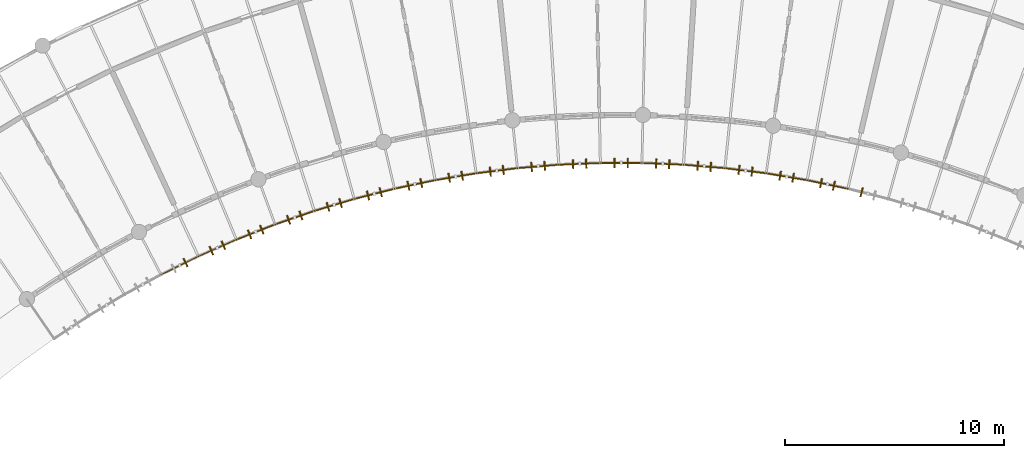
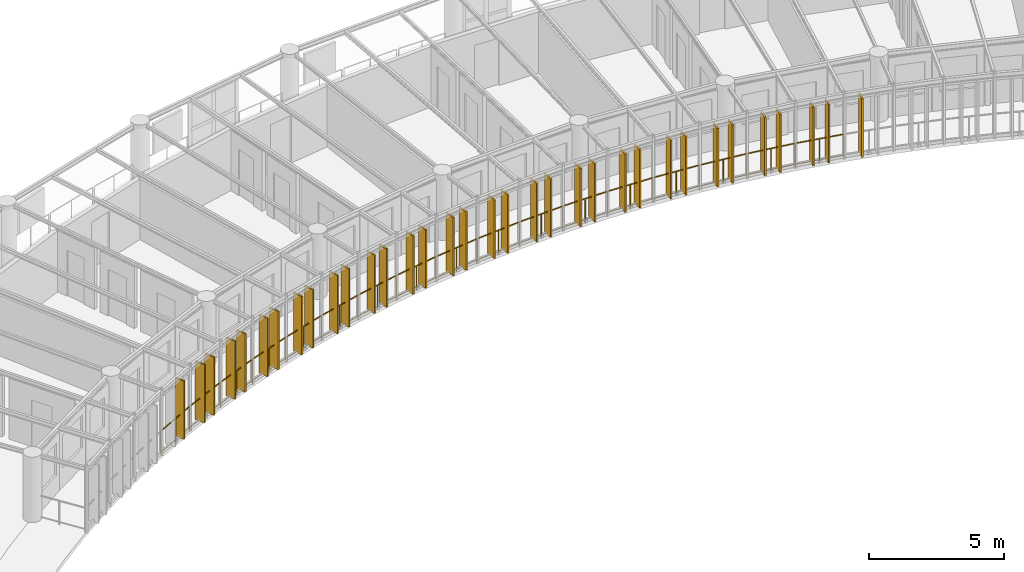
# One storey, part 96 of 100: 34 shading devices, 17 railings.
"""IFC4 building model written with IfcOpenShell, lengths in metres."""

from ifc_helpers import new_model, si_unit, direction, frame, origin, origin_2d, place, context, subcontext, project, spatial, rectangle, circle, extrude, material, layer, layer_set, type_object, element, save


model = new_model("IFC4")

# Units and contexts
model_context = context("Model", 3, precision=1e-05, world=origin(), true_north=direction((0.0, 1.0)))
body_context = subcontext(model_context, "Body", "Model", "MODEL_VIEW")
ifc_project = project(units=[si_unit("LENGTHUNIT", "METRE"), si_unit("AREAUNIT", "SQUARE_METRE"), si_unit("VOLUMEUNIT", "CUBIC_METRE"), si_unit("PLANEANGLEUNIT", "RADIAN"), si_unit("MASSUNIT", "GRAM", prefix="KILO"), si_unit("POWERUNIT", "WATT"), si_unit("THERMODYNAMICTEMPERATUREUNIT", "KELVIN")], contexts=[model_context])

# Site, building, storey
site_placement = place(None, origin())
site = spatial("IfcSite", under=ifc_project, at=site_placement, CompositionType="ELEMENT")
building_placement = place(site_placement, origin())
building = spatial("IfcBuilding", under=site, at=building_placement, Name="Ruvembo Vaulted Housing Court", CompositionType="ELEMENT")
storey_placement = place(building_placement, frame((0.0, 0.0, 10.89990234375)))
storey = spatial("IfcBuildingStorey", under=building, at=storey_placement, Name="L03", CompositionType="ELEMENT", Elevation=10.89990234375)

# Railings
ifc_material_1 = material(Name="Galvanised Painted Steel S275", Category="steel")
ifc_layer = layer(ifc_material_1, 0.06005859375, Name="Galvanised Painted Steel S275")
ifc_layer_set = layer_set([ifc_layer], Name="Galvanised Painted Steel S275")
railing_type = type_object("IfcRailingType", Name="RL-GUARD-1100", PredefinedType="GUARDRAIL", material=ifc_layer_set)
railing_1_placement = place(storey_placement, frame((95.95751953125, 90.6796875, 0.0)))
element("IfcRailing", 1, at=railing_1_placement, inside=storey, type_object=railing_type, Name="L03 Perimeter Guard RL-EXT-L03-0666", PredefinedType="GUARDRAIL", context=body_context, shape_type="SweptSolid", body=[
    extrude(circle(Radius=0.02392578125, at=origin_2d()), frame((0.0, 0.0, 1.076171875), z_axis=(0.897513310314, 0.44098736695, 0.0), x_axis=(-0.44098736695, 0.897513310314, 0.0)), (0.0, 0.0, 1.0), 1.901123046875),
    extrude(circle(Radius=0.01806640625, at=origin_2d()), frame((0.0, 0.0, 0.1201171875), z_axis=(0.897513310314, 0.44098736695, 0.0), x_axis=(-0.44098736695, 0.897513310314, 0.0)), (0.0, 0.0, 1.0), 1.901123046875),
    extrude(circle(Radius=0.02099609375, at=origin_2d()), origin(), (0.0, 0.0, 1.0), 1.052001953125),
    extrude(circle(Radius=0.02099609375, at=origin_2d()), frame((0.85302734375, 0.419189453125, 0.0)), (0.0, 0.0, 1.0), 1.052001953125),
    extrude(circle(Radius=0.02099609375, at=origin_2d()), frame((1.706298828125, 0.83837890625, 0.0)), (0.0, 0.0, 1.0), 1.052001953125),
])
railing_2_placement = place(storey_placement, frame((97.663818359375, 91.51806640625, 0.0)))
element("IfcRailing", 2, at=railing_2_placement, inside=storey, type_object=railing_type, Name="L03 Perimeter Guard RL-EXT-L03-0667", PredefinedType="GUARDRAIL", context=body_context, shape_type="SweptSolid", body=[
    extrude(circle(Radius=0.02392578125, at=origin_2d()), frame((0.0, 0.0, 1.076171875), z_axis=(0.91507815309, 0.403276547467, 0.0), x_axis=(-0.403276547467, 0.91507815309, 0.0)), (0.0, 0.0, 1.0), 1.90087890625),
    extrude(circle(Radius=0.01806640625, at=origin_2d()), frame((0.0, 0.0, 0.1201171875), z_axis=(0.91507815309, 0.403276547467, 0.0), x_axis=(-0.403276547467, 0.91507815309, 0.0)), (0.0, 0.0, 1.0), 1.90087890625),
    extrude(circle(Radius=0.02099609375, at=origin_2d()), origin(), (0.0, 0.0, 1.0), 1.052001953125),
    extrude(circle(Radius=0.02099609375, at=origin_2d()), frame((0.86962890625, 0.38330078125, 0.0)), (0.0, 0.0, 1.0), 1.052001953125),
    extrude(circle(Radius=0.02099609375, at=origin_2d()), frame((1.739501953125, 0.7666015625, 0.0)), (0.0, 0.0, 1.0), 1.052001953125),
])
railing_3_placement = place(storey_placement, frame((99.4033203125, 92.28466796875, 0.0)))
element("IfcRailing", 3, at=railing_3_placement, inside=storey, type_object=railing_type, Name="L03 Perimeter Guard RL-EXT-L03-0668", PredefinedType="GUARDRAIL", context=body_context, shape_type="SweptSolid", body=[
    extrude(circle(Radius=0.02392578125, at=origin_2d()), frame((0.0, 0.0, 1.076171875), z_axis=(0.931005720133, 0.365004587752, 0.0), x_axis=(-0.365004587752, 0.931005720133, 0.0)), (0.0, 0.0, 1.0), 1.90087890625),
    extrude(circle(Radius=0.01806640625, at=origin_2d()), frame((0.0, 0.0, 0.1201171875), z_axis=(0.931005720133, 0.365004587752, 0.0), x_axis=(-0.365004587752, 0.931005720133, 0.0)), (0.0, 0.0, 1.0), 1.90087890625),
    extrude(circle(Radius=0.02099609375, at=origin_2d()), origin(), (0.0, 0.0, 1.0), 1.052001953125),
    extrude(circle(Radius=0.02099609375, at=origin_2d()), frame((0.884765625, 0.346923828125, 0.0)), (0.0, 0.0, 1.0), 1.052001953125),
    extrude(circle(Radius=0.02099609375, at=origin_2d()), frame((1.769775390625, 0.69384765625, 0.0)), (0.0, 0.0, 1.0), 1.052001953125),
])
railing_4_placement = place(storey_placement, frame((101.173095703125, 92.978515625, 0.0)))
element("IfcRailing", 4, at=railing_4_placement, inside=storey, type_object=railing_type, Name="L03 Perimeter Guard RL-EXT-L03-0669", PredefinedType="GUARDRAIL", context=body_context, shape_type="SweptSolid", body=[
    extrude(circle(Radius=0.02392578125, at=origin_2d()), frame((0.0, 0.0, 1.076171875), z_axis=(0.945357969834, 0.326034214264, 0.0), x_axis=(-0.326034214264, 0.945357969834, 0.0)), (0.0, 0.0, 1.0), 1.9013671875),
    extrude(circle(Radius=0.01806640625, at=origin_2d()), frame((0.0, 0.0, 0.1201171875), z_axis=(0.945357969834, 0.326034214264, 0.0), x_axis=(-0.326034214264, 0.945357969834, 0.0)), (0.0, 0.0, 1.0), 1.9013671875),
    extrude(circle(Radius=0.02099609375, at=origin_2d()), origin(), (0.0, 0.0, 1.0), 1.052001953125),
    extrude(circle(Radius=0.02099609375, at=origin_2d()), frame((0.898681640625, 0.31005859375, 0.0)), (0.0, 0.0, 1.0), 1.052001953125),
    extrude(circle(Radius=0.02099609375, at=origin_2d()), frame((1.79736328125, 0.619873046875, 0.0)), (0.0, 0.0, 1.0), 1.052001953125),
])
railing_5_placement = place(storey_placement, frame((102.970458984375, 93.598388671875, 0.0)))
element("IfcRailing", 5, at=railing_5_placement, inside=storey, type_object=railing_type, Name="L03 Perimeter Guard RL-EXT-L03-0670", PredefinedType="GUARDRAIL", context=body_context, shape_type="SweptSolid", body=[
    extrude(circle(Radius=0.02392578125, at=origin_2d()), frame((0.0, 0.0, 1.076171875), z_axis=(0.958108609181, 0.286405120439, 0.0), x_axis=(-0.286405120439, 0.958108609181, 0.0)), (0.0, 0.0, 1.0), 1.90087890625),
    extrude(circle(Radius=0.01806640625, at=origin_2d()), frame((0.0, 0.0, 0.1201171875), z_axis=(0.958108609181, 0.286405120439, 0.0), x_axis=(-0.286405120439, 0.958108609181, 0.0)), (0.0, 0.0, 1.0), 1.90087890625),
    extrude(circle(Radius=0.02099609375, at=origin_2d()), origin(), (0.0, 0.0, 1.0), 1.052001953125),
    extrude(circle(Radius=0.02099609375, at=origin_2d()), frame((0.91064453125, 0.272216796875, 0.0)), (0.0, 0.0, 1.0), 1.052001953125),
    extrude(circle(Radius=0.02099609375, at=origin_2d()), frame((1.8212890625, 0.54443359375, 0.0)), (0.0, 0.0, 1.0), 1.052001953125),
])
railing_6_placement = place(storey_placement, frame((104.791748046875, 94.142822265625, 0.0)))
element("IfcRailing", 6, at=railing_6_placement, inside=storey, type_object=railing_type, Name="L03 Perimeter Guard RL-EXT-L03-0671", PredefinedType="GUARDRAIL", context=body_context, shape_type="SweptSolid", body=[
    extrude(circle(Radius=0.02392578125, at=origin_2d()), frame((0.0, 0.0, 1.076171875), z_axis=(0.969121730429, 0.246582788553, 0.0), x_axis=(-0.246582788553, 0.969121730429, 0.0)), (0.0, 0.0, 1.0), 1.90087890625),
    extrude(circle(Radius=0.01806640625, at=origin_2d()), frame((0.0, 0.0, 0.1201171875), z_axis=(0.969121730429, 0.246582788553, 0.0), x_axis=(-0.246582788553, 0.969121730429, 0.0)), (0.0, 0.0, 1.0), 1.90087890625),
    extrude(circle(Radius=0.02099609375, at=origin_2d()), origin(), (0.0, 0.0, 1.0), 1.052001953125),
    extrude(circle(Radius=0.02099609375, at=origin_2d()), frame((0.921142578125, 0.234375, 0.0)), (0.0, 0.0, 1.0), 1.052001953125),
    extrude(circle(Radius=0.02099609375, at=origin_2d()), frame((1.84228515625, 0.46875, 0.0)), (0.0, 0.0, 1.0), 1.052001953125),
])
railing_7_placement = place(storey_placement, frame((106.634033203125, 94.611572265625, 0.0)))
element("IfcRailing", 7, at=railing_7_placement, inside=storey, type_object=railing_type, Name="L03 Perimeter Guard RL-EXT-L03-0672", PredefinedType="GUARDRAIL", context=body_context, shape_type="SweptSolid", body=[
    extrude(circle(Radius=0.02392578125, at=origin_2d()), frame((0.0, 0.0, 1.076171875), z_axis=(0.978529342624, 0.206107558387, 0.0), x_axis=(-0.206107558387, 0.978529342624, 0.0)), (0.0, 0.0, 1.0), 1.901123046875),
    extrude(circle(Radius=0.01806640625, at=origin_2d()), frame((0.0, 0.0, 0.1201171875), z_axis=(0.978529342624, 0.206107558387, 0.0), x_axis=(-0.206107558387, 0.978529342624, 0.0)), (0.0, 0.0, 1.0), 1.901123046875),
    extrude(circle(Radius=0.02099609375, at=origin_2d()), origin(), (0.0, 0.0, 1.0), 1.052001953125),
    extrude(circle(Radius=0.02099609375, at=origin_2d()), frame((0.93017578125, 0.19580078125, 0.0)), (0.0, 0.0, 1.0), 1.052001953125),
    extrude(circle(Radius=0.02099609375, at=origin_2d()), frame((1.8603515625, 0.391845703125, 0.0)), (0.0, 0.0, 1.0), 1.052001953125),
])
railing_8_placement = place(storey_placement, frame((108.494384765625, 95.00341796875, 0.0)))
element("IfcRailing", 8, at=railing_8_placement, inside=storey, type_object=railing_type, Name="L03 Perimeter Guard RL-EXT-L03-0673", PredefinedType="GUARDRAIL", context=body_context, shape_type="SweptSolid", body=[
    extrude(circle(Radius=0.02392578125, at=origin_2d()), frame((0.0, 0.0, 1.076171875), z_axis=(0.986265186139, 0.165169557153, 0.0), x_axis=(-0.165169557153, 0.986265186139, 0.0)), (0.0, 0.0, 1.0), 1.90087890625),
    extrude(circle(Radius=0.01806640625, at=origin_2d()), frame((0.0, 0.0, 0.1201171875), z_axis=(0.986265186139, 0.165169557153, 0.0), x_axis=(-0.165169557153, 0.986265186139, 0.0)), (0.0, 0.0, 1.0), 1.90087890625),
    extrude(circle(Radius=0.02099609375, at=origin_2d()), origin(), (0.0, 0.0, 1.0), 1.052001953125),
    extrude(circle(Radius=0.02099609375, at=origin_2d()), frame((0.9375, 0.156982421875, 0.0)), (0.0, 0.0, 1.0), 1.052001953125),
    extrude(circle(Radius=0.02099609375, at=origin_2d()), frame((1.874755859375, 0.31396484375, 0.0)), (0.0, 0.0, 1.0), 1.052001953125),
])
railing_9_placement = place(storey_placement, frame((110.369140625, 95.3173828125, 0.0)))
element("IfcRailing", 9, at=railing_9_placement, inside=storey, type_object=railing_type, Name="L03 Perimeter Guard RL-EXT-L03-0674", PredefinedType="GUARDRAIL", context=body_context, shape_type="SweptSolid", body=[
    extrude(circle(Radius=0.02392578125, at=origin_2d()), frame((0.0, 0.0, 1.076171875), z_axis=(0.992244255502, 0.124303408739, 0.0), x_axis=(-0.124303408739, 0.992244255502, 0.0)), (0.0, 0.0, 1.0), 1.901123046875),
    extrude(circle(Radius=0.01806640625, at=origin_2d()), frame((0.0, 0.0, 0.1201171875), z_axis=(0.992244255502, 0.124303408739, 0.0), x_axis=(-0.124303408739, 0.992244255502, 0.0)), (0.0, 0.0, 1.0), 1.901123046875),
    extrude(circle(Radius=0.02099609375, at=origin_2d()), origin(), (0.0, 0.0, 1.0), 1.052001953125),
    extrude(circle(Radius=0.02099609375, at=origin_2d()), frame((0.943359375, 0.1181640625, 0.0)), (0.0, 0.0, 1.0), 1.052001953125),
    extrude(circle(Radius=0.02099609375, at=origin_2d()), frame((1.886474609375, 0.236328125, 0.0)), (0.0, 0.0, 1.0), 1.052001953125),
])
railing_10_placement = place(storey_placement, frame((112.255615234375, 95.5537109375, 0.0)))
element("IfcRailing", 10, at=railing_10_placement, inside=storey, type_object=railing_type, Name="L03 Perimeter Guard RL-EXT-L03-0675", PredefinedType="GUARDRAIL", context=body_context, shape_type="SweptSolid", body=[
    extrude(circle(Radius=0.02392578125, at=origin_2d()), frame((0.0, 0.0, 1.076171875), z_axis=(0.99656344911, 0.082832915551, 0.0), x_axis=(-0.082832915551, 0.99656344911, 0.0)), (0.0, 0.0, 1.0), 1.901123046875),
    extrude(circle(Radius=0.01806640625, at=origin_2d()), frame((0.0, 0.0, 0.1201171875), z_axis=(0.99656344911, 0.082832915551, 0.0), x_axis=(-0.082832915551, 0.99656344911, 0.0)), (0.0, 0.0, 1.0), 1.901123046875),
    extrude(circle(Radius=0.02099609375, at=origin_2d()), origin(), (0.0, 0.0, 1.0), 1.052001953125),
    extrude(circle(Radius=0.02099609375, at=origin_2d()), frame((0.947265625, 0.07861328125, 0.0)), (0.0, 0.0, 1.0), 1.052001953125),
    extrude(circle(Radius=0.02099609375, at=origin_2d()), frame((1.89453125, 0.157470703125, 0.0)), (0.0, 0.0, 1.0), 1.052001953125),
])
railing_11_placement = place(storey_placement, frame((114.150146484375, 95.711181640625, 0.0)))
element("IfcRailing", 11, at=railing_11_placement, inside=storey, type_object=railing_type, Name="L03 Perimeter Guard RL-EXT-L03-0676", PredefinedType="GUARDRAIL", context=body_context, shape_type="SweptSolid", body=[
    extrude(circle(Radius=0.02392578125, at=origin_2d()), frame((0.0, 0.0, 1.076171875), z_axis=(0.999139293915, 0.041480975827, 0.0), x_axis=(-0.041480975827, 0.999139293915, 0.0)), (0.0, 0.0, 1.0), 1.901123046875),
    extrude(circle(Radius=0.01806640625, at=origin_2d()), frame((0.0, 0.0, 0.1201171875), z_axis=(0.999139293915, 0.041480975827, 0.0), x_axis=(-0.041480975827, 0.999139293915, 0.0)), (0.0, 0.0, 1.0), 1.901123046875),
    extrude(circle(Radius=0.02099609375, at=origin_2d()), origin(), (0.0, 0.0, 1.0), 1.052001953125),
    extrude(circle(Radius=0.02099609375, at=origin_2d()), frame((0.94970703125, 0.03955078125, 0.0)), (0.0, 0.0, 1.0), 1.052001953125),
    extrude(circle(Radius=0.02099609375, at=origin_2d()), frame((1.8994140625, 0.078857421875, 0.0)), (0.0, 0.0, 1.0), 1.052001953125),
])
railing_12_placement = place(storey_placement, frame((116.049560546875, 95.7900390625, 0.0)))
element("IfcRailing", 12, at=railing_12_placement, inside=storey, type_object=railing_type, Name="L03 Perimeter Guard RL-EXT-L03-0677", PredefinedType="GUARDRAIL", context=body_context, shape_type="SweptSolid", body=[
    extrude(circle(Radius=0.02392578125, at=origin_2d()), frame((0.0, 0.0, 1.076171875), z_axis=(1.0, 0.0, 0.0), x_axis=(0.0, 1.0, 0.0)), (0.0, 0.0, 1.0), 1.90087890625),
    extrude(circle(Radius=0.01806640625, at=origin_2d()), frame((0.0, 0.0, 0.1201171875), z_axis=(1.0, 0.0, 0.0), x_axis=(0.0, 1.0, 0.0)), (0.0, 0.0, 1.0), 1.90087890625),
    extrude(circle(Radius=0.02099609375, at=origin_2d()), origin(), (0.0, 0.0, 1.0), 1.052001953125),
    extrude(circle(Radius=0.02099609375, at=origin_2d()), frame((0.950439453125, 0.0, 0.0)), (0.0, 0.0, 1.0), 1.052001953125),
    extrude(circle(Radius=0.02099609375, at=origin_2d()), frame((1.90087890625, 0.0, 0.0)), (0.0, 0.0, 1.0), 1.052001953125),
])
railing_13_placement = place(storey_placement, frame((117.950439453125, 95.7900390625, 0.0)))
element("IfcRailing", 13, at=railing_13_placement, inside=storey, type_object=railing_type, Name="L03 Perimeter Guard RL-EXT-L03-0678", PredefinedType="GUARDRAIL", context=body_context, shape_type="SweptSolid", body=[
    extrude(circle(Radius=0.02392578125, at=origin_2d()), frame((0.0, 0.0, 1.076171875), z_axis=(0.999139293915, -0.041480975827, 0.0), x_axis=(0.041480975827, 0.999139293915, 0.0)), (0.0, 0.0, 1.0), 1.901123046875),
    extrude(circle(Radius=0.01806640625, at=origin_2d()), frame((0.0, 0.0, 0.1201171875), z_axis=(0.999139293915, -0.041480975827, 0.0), x_axis=(0.041480975827, 0.999139293915, 0.0)), (0.0, 0.0, 1.0), 1.901123046875),
    extrude(circle(Radius=0.02099609375, at=origin_2d()), origin(), (0.0, 0.0, 1.0), 1.052001953125),
    extrude(circle(Radius=0.02099609375, at=origin_2d()), frame((0.94970703125, -0.03955078125, 0.0)), (0.0, 0.0, 1.0), 1.052001953125),
    extrude(circle(Radius=0.02099609375, at=origin_2d()), frame((1.8994140625, -0.078857421875, 0.0)), (0.0, 0.0, 1.0), 1.052001953125),
])
railing_14_placement = place(storey_placement, frame((119.849853515625, 95.711181640625, 0.0)))
element("IfcRailing", 14, at=railing_14_placement, inside=storey, type_object=railing_type, Name="L03 Perimeter Guard RL-EXT-L03-0679", PredefinedType="GUARDRAIL", context=body_context, shape_type="SweptSolid", body=[
    extrude(circle(Radius=0.02392578125, at=origin_2d()), frame((0.0, 0.0, 1.076171875), z_axis=(0.99656344911, -0.082832915551, 0.0), x_axis=(0.082832915551, 0.99656344911, 0.0)), (0.0, 0.0, 1.0), 1.901123046875),
    extrude(circle(Radius=0.01806640625, at=origin_2d()), frame((0.0, 0.0, 0.1201171875), z_axis=(0.99656344911, -0.082832915551, 0.0), x_axis=(0.082832915551, 0.99656344911, 0.0)), (0.0, 0.0, 1.0), 1.901123046875),
    extrude(circle(Radius=0.02099609375, at=origin_2d()), origin(), (0.0, 0.0, 1.0), 1.052001953125),
    extrude(circle(Radius=0.02099609375, at=origin_2d()), frame((0.947265625, -0.07861328125, 0.0)), (0.0, 0.0, 1.0), 1.052001953125),
    extrude(circle(Radius=0.02099609375, at=origin_2d()), frame((1.89453125, -0.157470703125, 0.0)), (0.0, 0.0, 1.0), 1.052001953125),
])
railing_15_placement = place(storey_placement, frame((121.744384765625, 95.5537109375, 0.0)))
element("IfcRailing", 15, at=railing_15_placement, inside=storey, type_object=railing_type, Name="L03 Perimeter Guard RL-EXT-L03-0680", PredefinedType="GUARDRAIL", context=body_context, shape_type="SweptSolid", body=[
    extrude(circle(Radius=0.02392578125, at=origin_2d()), frame((0.0, 0.0, 1.076171875), z_axis=(0.992244255502, -0.124303408739, 0.0), x_axis=(0.124303408739, 0.992244255502, 0.0)), (0.0, 0.0, 1.0), 1.901123046875),
    extrude(circle(Radius=0.01806640625, at=origin_2d()), frame((0.0, 0.0, 0.1201171875), z_axis=(0.992244255502, -0.124303408739, 0.0), x_axis=(0.124303408739, 0.992244255502, 0.0)), (0.0, 0.0, 1.0), 1.901123046875),
    extrude(circle(Radius=0.02099609375, at=origin_2d()), origin(), (0.0, 0.0, 1.0), 1.052001953125),
    extrude(circle(Radius=0.02099609375, at=origin_2d()), frame((0.943359375, -0.1181640625, 0.0)), (0.0, 0.0, 1.0), 1.052001953125),
    extrude(circle(Radius=0.02099609375, at=origin_2d()), frame((1.886474609375, -0.236328125, 0.0)), (0.0, 0.0, 1.0), 1.052001953125),
])
railing_16_placement = place(storey_placement, frame((123.630859375, 95.3173828125, 0.0)))
element("IfcRailing", 16, at=railing_16_placement, inside=storey, type_object=railing_type, Name="L03 Perimeter Guard RL-EXT-L03-0681", PredefinedType="GUARDRAIL", context=body_context, shape_type="SweptSolid", body=[
    extrude(circle(Radius=0.02392578125, at=origin_2d()), frame((0.0, 0.0, 1.076171875), z_axis=(0.986265186139, -0.165169557153, 0.0), x_axis=(0.165169557153, 0.986265186139, 0.0)), (0.0, 0.0, 1.0), 1.90087890625),
    extrude(circle(Radius=0.01806640625, at=origin_2d()), frame((0.0, 0.0, 0.1201171875), z_axis=(0.986265186139, -0.165169557153, 0.0), x_axis=(0.165169557153, 0.986265186139, 0.0)), (0.0, 0.0, 1.0), 1.90087890625),
    extrude(circle(Radius=0.02099609375, at=origin_2d()), origin(), (0.0, 0.0, 1.0), 1.052001953125),
    extrude(circle(Radius=0.02099609375, at=origin_2d()), frame((0.9375, -0.156982421875, 0.0)), (0.0, 0.0, 1.0), 1.052001953125),
    extrude(circle(Radius=0.02099609375, at=origin_2d()), frame((1.874755859375, -0.31396484375, 0.0)), (0.0, 0.0, 1.0), 1.052001953125),
])
railing_17_placement = place(storey_placement, frame((125.505615234375, 95.00341796875, 0.0)))
element("IfcRailing", 17, at=railing_17_placement, inside=storey, type_object=railing_type, Name="L03 Perimeter Guard RL-EXT-L03-0682", PredefinedType="GUARDRAIL", context=body_context, shape_type="SweptSolid", body=[
    extrude(circle(Radius=0.02392578125, at=origin_2d()), frame((0.0, 0.0, 1.076171875), z_axis=(0.978529342624, -0.206107558387, 0.0), x_axis=(0.206107558387, 0.978529342624, 0.0)), (0.0, 0.0, 1.0), 1.901123046875),
    extrude(circle(Radius=0.01806640625, at=origin_2d()), frame((0.0, 0.0, 0.1201171875), z_axis=(0.978529342624, -0.206107558387, 0.0), x_axis=(0.206107558387, 0.978529342624, 0.0)), (0.0, 0.0, 1.0), 1.901123046875),
    extrude(circle(Radius=0.02099609375, at=origin_2d()), origin(), (0.0, 0.0, 1.0), 1.052001953125),
    extrude(circle(Radius=0.02099609375, at=origin_2d()), frame((0.93017578125, -0.19580078125, 0.0)), (0.0, 0.0, 1.0), 1.052001953125),
    extrude(circle(Radius=0.02099609375, at=origin_2d()), frame((1.8603515625, -0.391845703125, 0.0)), (0.0, 0.0, 1.0), 1.052001953125),
])

# Shading devices
ifc_material_2 = material(Name="Kiln-Fired Terracotta Extrusion", Category="masonry")
shading_device_type = type_object("IfcShadingDeviceType", Name="SHD-FIN-420", PredefinedType="USERDEFINED", material=ifc_material_2)
for number, where, z_axis, x_axis, name in (
    (18, (97.079833984375, 91.231201171875, 0.05029296875), (0.0, 0.0, 1.0), (0.440910671447, -0.897550990086, 0.0), "Terracotta Brise-Soleil Fin #594"),
    (19, (98.259033203125, 91.780517578125, 0.05029296875), (0.0, 0.0, 1.0), (0.403305746645, -0.915065284405, 0.0), "Terracotta Brise-Soleil Fin #595"),
    (20, (98.80810546875, 92.022216796875, 0.05029296875), (0.0, 0.0, 1.0), (0.403305746645, -0.915065284405, 0.0), "Terracotta Brise-Soleil Fin #596"),
    (21, (100.0087890625, 92.522216796875, 0.05029296875), (0.0, 0.0, 1.0), (0.364958032896, -0.931023970811, 0.0), "Terracotta Brise-Soleil Fin #597"),
    (22, (100.567626953125, 92.7412109375, 0.05029296875), (0.0, 0.0, 1.0), (0.364958032896, -0.931023970811, 0.0), "Terracotta Brise-Soleil Fin #598"),
    (23, (101.7880859375, 93.190673828125, 0.05029296875), (0.0, 0.0, 1.0), (0.326030183107, -0.945359360087, 0.0), "Terracotta Brise-Soleil Fin #599"),
    (24, (102.35546875, 93.38623046875, 0.05029296875), (0.0, 0.0, 1.0), (0.326030183107, -0.945359360087, 0.0), "Terracotta Brise-Soleil Fin #600"),
    (25, (103.593505859375, 93.78466796875, 0.05029296875), (0.0, 0.0, 1.0), (0.2864911095, -0.958082900472, 0.0), "Terracotta Brise-Soleil Fin #601"),
    (26, (104.16845703125, 93.95654296875, 0.05029296875), (0.0, 0.0, 1.0), (0.2864911095, -0.958082900472, 0.0), "Terracotta Brise-Soleil Fin #602"),
    (27, (105.422119140625, 94.30322265625, 0.05029296875), (0.0, 0.0, 1.0), (0.246491603437, -0.969144926951, 0.0), "Terracotta Brise-Soleil Fin #603"),
    (28, (106.003662109375, 94.451171875, 0.05029296875), (0.0, 0.0, 1.0), (0.246491603437, -0.969144926951, 0.0), "Terracotta Brise-Soleil Fin #604"),
    (29, (107.2705078125, 94.74560546875, 0.05029296875), (0.0, 0.0, 1.0), (0.206101715045, -0.978530573388, 0.0), "Terracotta Brise-Soleil Fin #605"),
    (30, (107.85791015625, 94.869140625, 0.05029296875), (0.0, 0.0, 1.0), (0.206101715045, -0.978530573388, 0.0), "Terracotta Brise-Soleil Fin #606"),
    (31, (109.135986328125, 95.11083984375, 0.05029296875), (0.0, 0.0, 1.0), (0.165271382715, -0.986248128037, 0.0), "Terracotta Brise-Soleil Fin #607"),
    (32, (109.7275390625, 95.2099609375, 0.05029296875), (0.0, 0.0, 1.0), (0.165271382715, -0.986248128037, 0.0), "Terracotta Brise-Soleil Fin #608"),
    (33, (111.0146484375, 95.398193359375, 0.05029296875), (0.0, 0.0, 1.0), (0.12419031657, -0.992258416578, 0.0), "Terracotta Brise-Soleil Fin #609"),
    (34, (111.610107421875, 95.472900390625, 0.05029296875), (0.0, 0.0, 1.0), (0.12419031657, -0.992258416578, 0.0), "Terracotta Brise-Soleil Fin #610"),
    (35, (112.90380859375, 95.607421875, 0.05029296875), (0.0, 0.0, 1.0), (0.082895173943, -0.996558272324, 0.0), "Terracotta Brise-Soleil Fin #611"),
    (36, (113.501708984375, 95.6572265625, 0.05029296875), (0.0, 0.0, 1.0), (0.082895173943, -0.996558272324, 0.0), "Terracotta Brise-Soleil Fin #612"),
    (37, (114.800048828125, 95.73828125, 0.05029296875), (0.0, 0.0, 1.0), (0.041509453281, -0.999138111218, 0.0), "Terracotta Brise-Soleil Fin #613"),
    (38, (115.3994140625, 95.76318359375, 0.05029296875), (0.0, 0.0, 1.0), (0.041509453281, -0.999138111218, 0.0), "Terracotta Brise-Soleil Fin #614"),
    (39, (116.699951171875, 95.7900390625, 0.05029296875), (0.0, 0.0, 1.0), (0.0, -1.0, 0.0), "Terracotta Brise-Soleil Fin #615"),
    (40, (117.300048828125, 95.7900390625, 0.05029296875), (0.0, 0.0, 1.0), (0.0, -1.0, 0.0), "Terracotta Brise-Soleil Fin #616"),
    (41, (118.6005859375, 95.76318359375, 0.05029296875), (0.0, 0.0, 1.0), (-0.041509453281, -0.999138111218, 0.0), "Terracotta Brise-Soleil Fin #617"),
    (42, (119.199951171875, 95.73828125, 0.05029296875), (0.0, 0.0, 1.0), (-0.041509453281, -0.999138111218, 0.0), "Terracotta Brise-Soleil Fin #618"),
    (43, (120.498291015625, 95.6572265625, 0.05029296875), (0.0, 0.0, 1.0), (-0.082895173943, -0.996558272324, 0.0), "Terracotta Brise-Soleil Fin #619"),
    (44, (121.09619140625, 95.607421875, 0.05029296875), (0.0, 0.0, 1.0), (-0.082895173943, -0.996558272324, 0.0), "Terracotta Brise-Soleil Fin #620"),
    (45, (122.389892578125, 95.472900390625, 0.05029296875), (0.0, 0.0, 1.0), (-0.12419031657, -0.992258416578, 0.0), "Terracotta Brise-Soleil Fin #621"),
    (46, (122.9853515625, 95.398193359375, 0.05029296875), (0.0, 0.0, 1.0), (-0.12419031657, -0.992258416578, 0.0), "Terracotta Brise-Soleil Fin #622"),
    (47, (124.2724609375, 95.2099609375, 0.05029296875), (0.0, 0.0, 1.0), (-0.165271382715, -0.986248128037, 0.0), "Terracotta Brise-Soleil Fin #623"),
    (48, (124.864013671875, 95.11083984375, 0.05029296875), (0.0, 0.0, 1.0), (-0.165271382715, -0.986248128037, 0.0), "Terracotta Brise-Soleil Fin #624"),
    (49, (126.14208984375, 94.869140625, 0.05029296875), (0.0, 0.0, 1.0), (-0.206101715045, -0.978530573388, 0.0), "Terracotta Brise-Soleil Fin #625"),
    (50, (126.7294921875, 94.74560546875, 0.05029296875), (0.0, 0.0, 1.0), (-0.206101715045, -0.978530573388, 0.0), "Terracotta Brise-Soleil Fin #626"),
    (51, (127.996337890625, 94.451171875, 0.05029296875), (0.0, 0.0, 1.0), (-0.246491603437, -0.969144926951, 0.0), "Terracotta Brise-Soleil Fin #627"),
):
    element("IfcShadingDevice", number, at=place(storey_placement, frame(where, z_axis=z_axis, x_axis=x_axis)), inside=storey, type_object=shading_device_type, Name=name, ObjectType="FIN", PredefinedType="USERDEFINED", context=body_context, shape_type="SweptSolid", body=[
        extrude(rectangle(XDim=0.419921875, YDim=0.06494140625, at=origin_2d()), origin(), (0.0, 0.0, 1.0), 2.633056640625),
    ])

save(model, "model.ifc")
